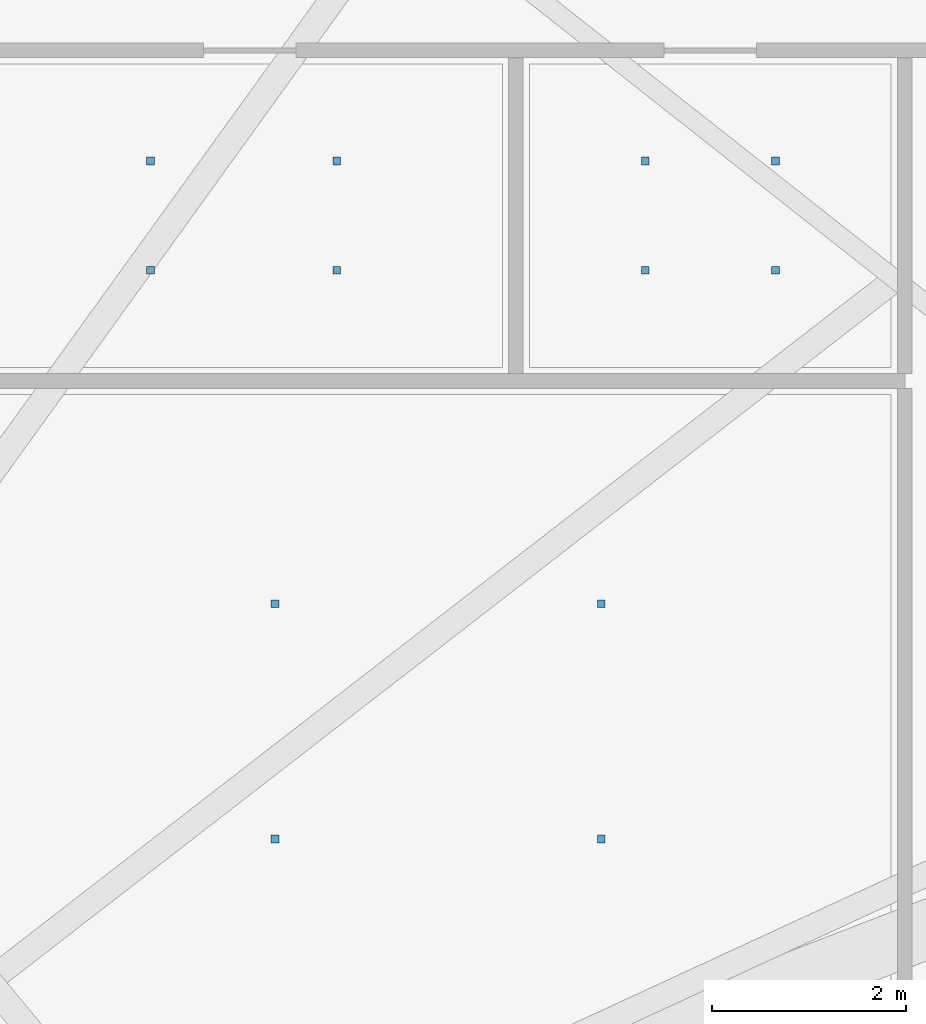
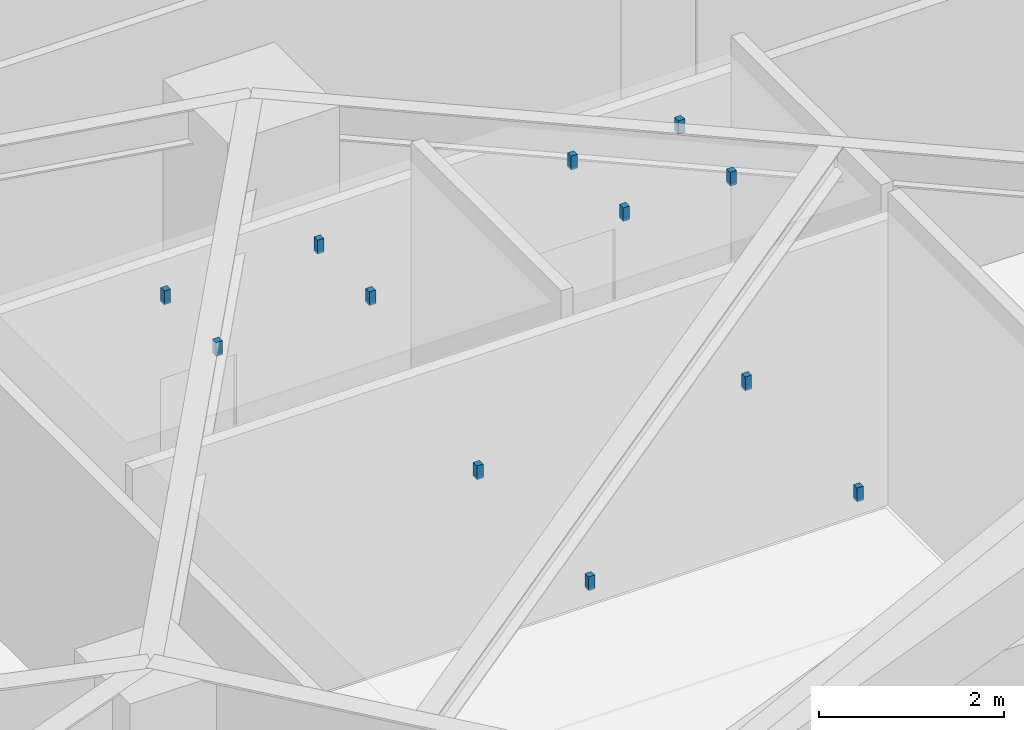
# One storey, part 12 of 16: 12 discrete accessories.
"""IFC4 building model written with IfcOpenShell, lengths in metres."""

from ifc_helpers import new_model, si_unit, direction, frame, origin, origin_2d, place, context, subcontext, project, spatial, rectangle, extrude, material, type_object, element, save


model = new_model("IFC4")

# Units and contexts
model_context = context("Model", 3, precision=1e-05, world=origin(), true_north=direction((0.0, 1.0)))
body_context = subcontext(model_context, "Body", "Model", "MODEL_VIEW")
ifc_project = project(units=[si_unit("LENGTHUNIT", "METRE"), si_unit("AREAUNIT", "SQUARE_METRE"), si_unit("VOLUMEUNIT", "CUBIC_METRE"), si_unit("PLANEANGLEUNIT", "RADIAN"), si_unit("MASSUNIT", "GRAM", prefix="KILO")], contexts=[model_context])

# Site, building, storey
site_placement = place(None, origin())
site = spatial("IfcSite", under=ifc_project, at=site_placement, CompositionType="ELEMENT")
building_placement = place(site_placement, origin())
building = spatial("IfcBuilding", under=site, at=building_placement, Name="Kolvaren Gate Tower and Convention Centre", CompositionType="ELEMENT")
storey_placement = place(building_placement, frame((0.0, 0.0, -4.5)))
storey = spatial("IfcBuildingStorey", under=building, at=storey_placement, Name="B1", CompositionType="ELEMENT", Elevation=-4.5)

# Discrete accessories
ifc_material = material(Name="Brushed Stainless Steel Grade 316L", Category="steel")
discrete_accessory_type = type_object("IfcDiscreteAccessoryType", Name="ARCH-ACC-HANGER-80", PredefinedType="BRACKET", material=ifc_material)
for number, where, z_axis, x_axis, name in (
    (1, (42.322021484375, 36.090087890625, 3.9599609375), (0.0, 0.0, 1.0), (1.0, 0.0, 0.0), "Commuter Bicycle Storage Room Ceiling Suspension Hanger Clip 1"),
    (2, (45.677978515625, 36.090087890625, 3.9599609375), (0.0, 0.0, 1.0), (1.0, 0.0, 0.0), "Commuter Bicycle Storage Room Ceiling Suspension Hanger Clip 2"),
    (3, (42.322021484375, 38.510009765625, 3.9599609375), (0.0, 0.0, 1.0), (1.0, 0.0, 0.0), "Commuter Bicycle Storage Room Ceiling Suspension Hanger Clip 3"),
    (4, (45.677978515625, 38.510009765625, 3.9599609375), (0.0, 0.0, 1.0), (1.0, 0.0, 0.0), "Commuter Bicycle Storage Room Ceiling Suspension Hanger Clip 4"),
    (5, (41.0419921875, 41.93798828125, 3.9599609375), (0.0, 0.0, 1.0), (1.0, 0.0, 0.0), "Commuter Changing and Shower Room Ceiling Suspension Hanger Clip 1"),
    (6, (42.9580078125, 41.93798828125, 3.9599609375), (0.0, 0.0, 1.0), (1.0, 0.0, 0.0), "Commuter Changing and Shower Room Ceiling Suspension Hanger Clip 2"),
    (7, (41.0419921875, 43.06201171875, 3.9599609375), (0.0, 0.0, 1.0), (1.0, 0.0, 0.0), "Commuter Changing and Shower Room Ceiling Suspension Hanger Clip 3"),
    (8, (42.9580078125, 43.06201171875, 3.9599609375), (0.0, 0.0, 1.0), (1.0, 0.0, 0.0), "Commuter Changing and Shower Room Ceiling Suspension Hanger Clip 4"),
    (9, (46.1298828125, 41.93798828125, 3.9599609375), (0.0, 0.0, 1.0), (1.0, 0.0, 0.0), "Cyclist Helmet and Gear Drying Room Ceiling Suspension Hanger Clip 1"),
    (10, (47.469970703125, 41.93798828125, 3.9599609375), (0.0, 0.0, 1.0), (1.0, 0.0, 0.0), "Cyclist Helmet and Gear Drying Room Ceiling Suspension Hanger Clip 2"),
    (11, (46.1298828125, 43.06201171875, 3.9599609375), (0.0, 0.0, 1.0), (1.0, 0.0, 0.0), "Cyclist Helmet and Gear Drying Room Ceiling Suspension Hanger Clip 3"),
    (12, (47.469970703125, 43.06201171875, 3.9599609375), (0.0, 0.0, 1.0), (1.0, 0.0, 0.0), "Cyclist Helmet and Gear Drying Room Ceiling Suspension Hanger Clip 4"),
):
    element("IfcDiscreteAccessory", number, at=place(storey_placement, frame(where, z_axis=z_axis, x_axis=x_axis)), inside=storey, type_object=discrete_accessory_type, Name=name, PredefinedType="BRACKET", context=body_context, shape_type="SweptSolid", body=[
        extrude(rectangle(XDim=0.080078125, YDim=0.080078125, at=origin_2d()), origin(), (0.0, 0.0, 1.0), 0.179931640625),
    ])

save(model, "model.ifc")
